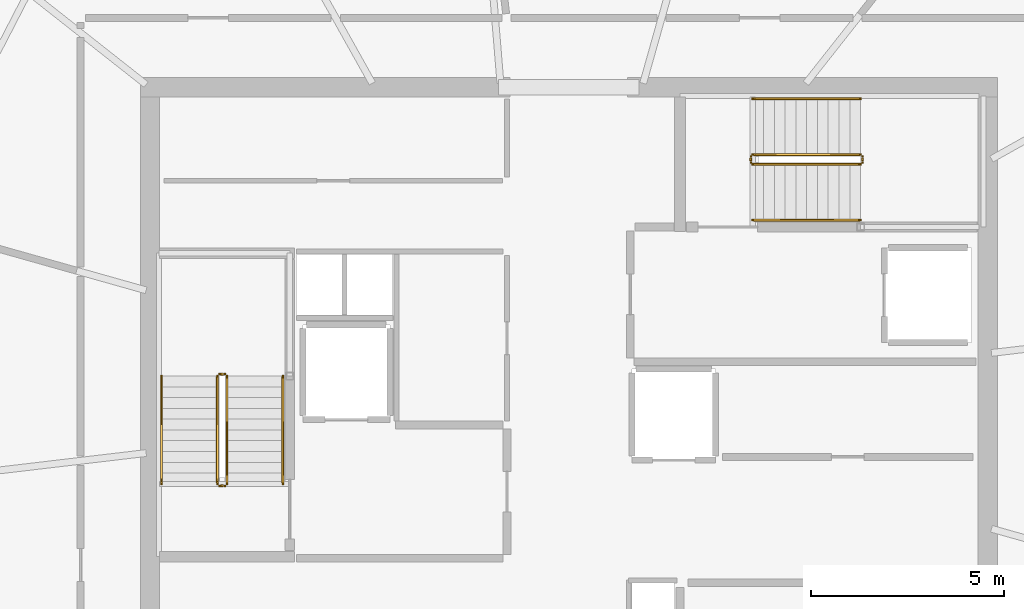
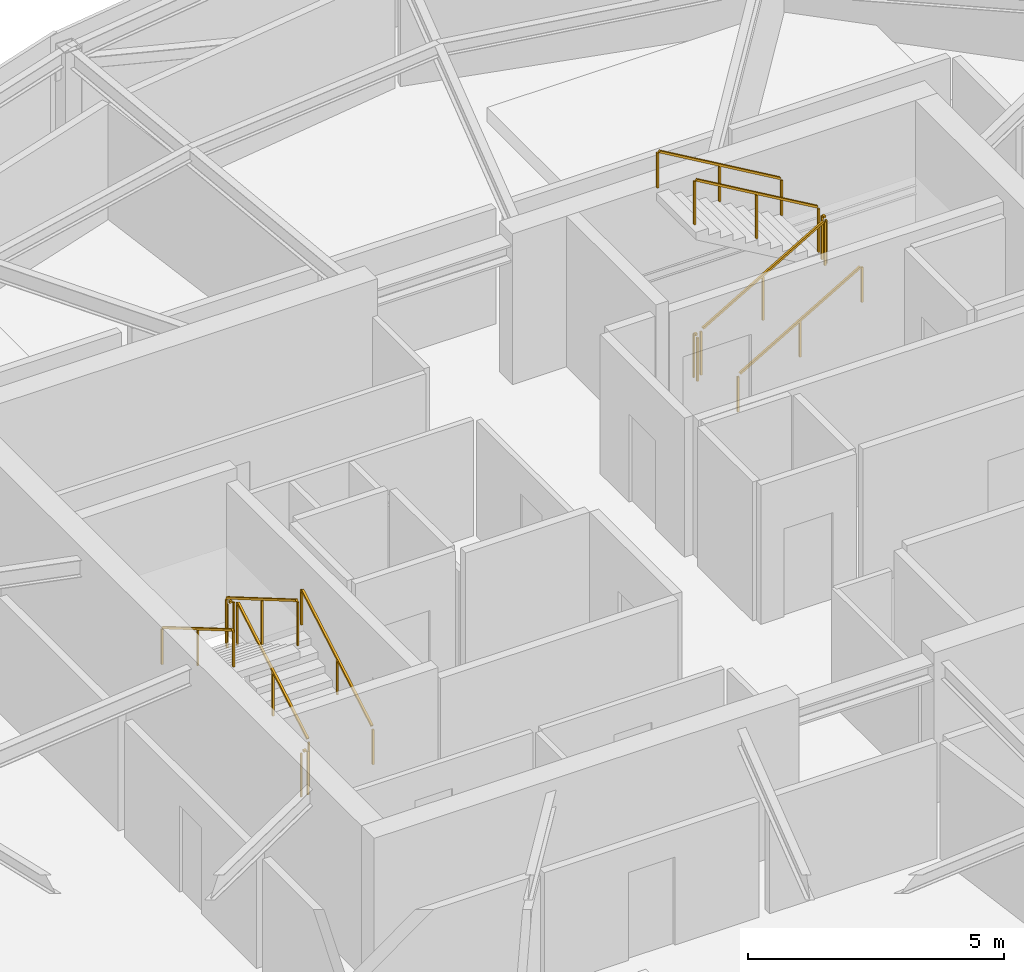
# One storey, part 10 of 10: 12 railings.
"""IFC4 building model written with IfcOpenShell, lengths in metres."""

from ifc_helpers import new_model, si_unit, direction, frame, origin, origin_2d, place, context, subcontext, project, spatial, rectangle, extrude, material, type_object, element, save


model = new_model("IFC4")

# Units and contexts
model_context = context("Model", 3, precision=1e-05, world=origin(), true_north=direction((0.0, 1.0)))
body_context = subcontext(model_context, "Body", "Model", "MODEL_VIEW")
ifc_project = project(units=[si_unit("LENGTHUNIT", "METRE"), si_unit("AREAUNIT", "SQUARE_METRE"), si_unit("VOLUMEUNIT", "CUBIC_METRE"), si_unit("PLANEANGLEUNIT", "RADIAN"), si_unit("MASSUNIT", "GRAM", prefix="KILO")], contexts=[model_context])

# Site, building, storey
site_placement = place(None, origin())
site = spatial("IfcSite", under=ifc_project, at=site_placement, CompositionType="ELEMENT")
building_placement = place(site_placement, origin())
building = spatial("IfcBuilding", under=site, at=building_placement, Name="Kazma Halo Residences", CompositionType="ELEMENT")
storey_placement = place(building_placement, frame((0.0, 0.0, 363.199951171875)))
storey = spatial("IfcBuildingStorey", under=building, at=storey_placement, Name="L91", CompositionType="ELEMENT", Elevation=363.199951171875)

# Railings
ifc_material_1 = material(Name="Painted Steel S355", Category="steel")
railing_type_1 = type_object("IfcRailingType", Name="RLG-STAIR-GRD-1100", PredefinedType="GUARDRAIL", material=ifc_material_1)
railing_1_placement = place(storey_placement, frame((39.550048828125, 39.949951171875, 0.16357421875)))
element("IfcRailing", 1, at=railing_1_placement, inside=storey, type_object=railing_type_1, Name="L91 ST-01 stair guard 1", PredefinedType="GUARDRAIL", context=body_context, shape_type="SweptSolid", body=[
    extrude(rectangle(XDim=0.050048828125, YDim=0.050048828125, at=origin_2d()), frame((0.0, 0.03662109375, 1.096435546875), z_axis=(0.0, 0.863360870873, 0.504586966384), x_axis=(-1.0, 0.0, 0.0)), (0.0, 0.0, 1.0), 3.158203125),
    extrude(rectangle(XDim=0.0400390625, YDim=0.0400390625, at=origin_2d()), origin(), (0.0, 0.0, 1.0), 1.0380859375),
    extrude(rectangle(XDim=0.0400390625, YDim=0.0400390625, at=origin_2d()), frame((0.0, 1.39990234375, 0.818359375)), (0.0, 0.0, 1.0), 1.0380859375),
    extrude(rectangle(XDim=0.0400390625, YDim=0.0400390625, at=origin_2d()), frame((0.0, 2.800048828125, 1.636474609375)), (0.0, 0.0, 1.0), 1.0380859375),
])
railing_2_placement = place(storey_placement, frame((39.5, 42.800048828125, 1.800048828125)))
element("IfcRailing", 2, at=railing_2_placement, inside=storey, type_object=railing_type_1, Name="L91 ST-01 stair guard 2", PredefinedType="GUARDRAIL", context=body_context, shape_type="SweptSolid", body=[
    extrude(rectangle(XDim=0.050048828125, YDim=0.050048828125, at=origin_2d()), frame((-0.04248046875, 0.0, 1.0751953125), z_axis=(-1.0, 0.0, 0.0), x_axis=(0.0, -1.0, 0.0)), (0.0, 0.0, 1.0), 0.06494140625),
    extrude(rectangle(XDim=0.0400390625, YDim=0.0400390625, at=origin_2d()), origin(), (0.0, 0.0, 1.0), 1.0380859375),
    extrude(rectangle(XDim=0.0400390625, YDim=0.0400390625, at=origin_2d()), frame((-0.14990234375, 0.0, 0.0)), (0.0, 0.0, 1.0), 1.0380859375),
])
railing_3_placement = place(storey_placement, frame((39.300048828125, 42.75, 1.963623046875)))
element("IfcRailing", 3, at=railing_3_placement, inside=storey, type_object=railing_type_1, Name="L91 ST-01 stair guard 3", PredefinedType="GUARDRAIL", context=body_context, shape_type="SweptSolid", body=[
    extrude(rectangle(XDim=0.050048828125, YDim=0.050048828125, at=origin_2d()), frame((0.0, -0.03662109375, 1.096435546875), z_axis=(0.0, -0.863360870873, 0.504586966384), x_axis=(1.0, 0.0, 0.0)), (0.0, 0.0, 1.0), 3.158203125),
    extrude(rectangle(XDim=0.0400390625, YDim=0.0400390625, at=origin_2d()), origin(), (0.0, 0.0, 1.0), 1.0380859375),
    extrude(rectangle(XDim=0.0400390625, YDim=0.0400390625, at=origin_2d()), frame((0.0, -1.39990234375, 0.818359375)), (0.0, 0.0, 1.0), 1.0380859375),
    extrude(rectangle(XDim=0.0400390625, YDim=0.0400390625, at=origin_2d()), frame((0.0, -2.800048828125, 1.636474609375)), (0.0, 0.0, 1.0), 1.0380859375),
])
railing_4_placement = place(storey_placement, frame((39.5, 39.89990234375, 0.0)))
element("IfcRailing", 4, at=railing_4_placement, inside=storey, type_object=railing_type_1, Name="L91 ST-01 stair guard 4", PredefinedType="GUARDRAIL", context=body_context, shape_type="SweptSolid", body=[
    extrude(rectangle(XDim=0.050048828125, YDim=0.050048828125, at=origin_2d()), frame((-0.04248046875, 0.0, 1.0751953125), z_axis=(-1.0, 0.0, 0.0), x_axis=(0.0, -1.0, 0.0)), (0.0, 0.0, 1.0), 0.06494140625),
    extrude(rectangle(XDim=0.0400390625, YDim=0.0400390625, at=origin_2d()), origin(), (0.0, 0.0, 1.0), 1.0380859375),
    extrude(rectangle(XDim=0.0400390625, YDim=0.0400390625, at=origin_2d()), frame((-0.14990234375, 0.0, 0.0)), (0.0, 0.0, 1.0), 1.0380859375),
])
railing_5_placement = place(storey_placement, frame((53.199951171875, 48.25, 0.16357421875)))
element("IfcRailing", 5, at=railing_5_placement, inside=storey, type_object=railing_type_1, Name="L91 ST-02 stair guard 1", PredefinedType="GUARDRAIL", context=body_context, shape_type="SweptSolid", body=[
    extrude(rectangle(XDim=0.050048828125, YDim=0.050048828125, at=origin_2d()), frame((0.03662109375, 0.0, 1.096435546875), z_axis=(0.863360870873, 0.0, 0.504586966384), x_axis=(0.0, 1.0, 0.0)), (0.0, 0.0, 1.0), 3.158203125),
    extrude(rectangle(XDim=0.0400390625, YDim=0.0400390625, at=origin_2d()), origin(), (0.0, 0.0, 1.0), 1.0380859375),
    extrude(rectangle(XDim=0.0400390625, YDim=0.0400390625, at=origin_2d()), frame((1.39990234375, 0.0, 0.818359375)), (0.0, 0.0, 1.0), 1.0380859375),
    extrude(rectangle(XDim=0.0400390625, YDim=0.0400390625, at=origin_2d()), frame((2.800048828125, 0.0, 1.636474609375)), (0.0, 0.0, 1.0), 1.0380859375),
])
railing_6_placement = place(storey_placement, frame((56.050048828125, 48.300048828125, 1.800048828125)))
element("IfcRailing", 6, at=railing_6_placement, inside=storey, type_object=railing_type_1, Name="L91 ST-02 stair guard 2", PredefinedType="GUARDRAIL", context=body_context, shape_type="SweptSolid", body=[
    extrude(rectangle(XDim=0.050048828125, YDim=0.050048828125, at=origin_2d()), frame((0.0, 0.04248046875, 1.0751953125), z_axis=(0.0, 1.0, 0.0), x_axis=(-1.0, 0.0, 0.0)), (0.0, 0.0, 1.0), 0.06494140625),
    extrude(rectangle(XDim=0.0400390625, YDim=0.0400390625, at=origin_2d()), origin(), (0.0, 0.0, 1.0), 1.0380859375),
    extrude(rectangle(XDim=0.0400390625, YDim=0.0400390625, at=origin_2d()), frame((0.0, 0.14990234375, 0.0)), (0.0, 0.0, 1.0), 1.0380859375),
])
railing_7_placement = place(storey_placement, frame((56.0, 48.5, 1.963623046875)))
element("IfcRailing", 7, at=railing_7_placement, inside=storey, type_object=railing_type_1, Name="L91 ST-02 stair guard 3", PredefinedType="GUARDRAIL", context=body_context, shape_type="SweptSolid", body=[
    extrude(rectangle(XDim=0.050048828125, YDim=0.050048828125, at=origin_2d()), frame((-0.03662109375, 0.0, 1.096435546875), z_axis=(-0.863360870873, 0.0, 0.504586966384), x_axis=(0.0, -1.0, 0.0)), (0.0, 0.0, 1.0), 3.158203125),
    extrude(rectangle(XDim=0.0400390625, YDim=0.0400390625, at=origin_2d()), origin(), (0.0, 0.0, 1.0), 1.0380859375),
    extrude(rectangle(XDim=0.0400390625, YDim=0.0400390625, at=origin_2d()), frame((-1.39990234375, 0.0, 0.818359375)), (0.0, 0.0, 1.0), 1.0380859375),
    extrude(rectangle(XDim=0.0400390625, YDim=0.0400390625, at=origin_2d()), frame((-2.800048828125, 0.0, 1.636474609375)), (0.0, 0.0, 1.0), 1.0380859375),
])
railing_8_placement = place(storey_placement, frame((53.14990234375, 48.300048828125, 0.0)))
element("IfcRailing", 8, at=railing_8_placement, inside=storey, type_object=railing_type_1, Name="L91 ST-02 stair guard 4", PredefinedType="GUARDRAIL", context=body_context, shape_type="SweptSolid", body=[
    extrude(rectangle(XDim=0.050048828125, YDim=0.050048828125, at=origin_2d()), frame((0.0, 0.04248046875, 1.0751953125), z_axis=(0.0, 1.0, 0.0), x_axis=(-1.0, 0.0, 0.0)), (0.0, 0.0, 1.0), 0.06494140625),
    extrude(rectangle(XDim=0.0400390625, YDim=0.0400390625, at=origin_2d()), origin(), (0.0, 0.0, 1.0), 1.0380859375),
    extrude(rectangle(XDim=0.0400390625, YDim=0.0400390625, at=origin_2d()), frame((0.0, 0.14990234375, 0.0)), (0.0, 0.0, 1.0), 1.0380859375),
])
ifc_material_2 = material(Name="Brushed Stainless Steel", Category="steel")
railing_type_2 = type_object("IfcRailingType", Name="RLG-STAIR-HND-900", PredefinedType="HANDRAIL", material=ifc_material_2)
railing_9_placement = place(storey_placement, frame((41.0, 39.949951171875, 0.16357421875)))
element("IfcRailing", 9, at=railing_9_placement, inside=storey, type_object=railing_type_2, Name="L91 ST-01 stair handrail 1", PredefinedType="HANDRAIL", context=body_context, shape_type="SweptSolid", body=[
    extrude(rectangle(XDim=0.050048828125, YDim=0.050048828125, at=origin_2d()), frame((0.0, 0.03662109375, 0.896240234375), z_axis=(0.0, 0.863360870873, 0.504586966384), x_axis=(-1.0, 0.0, 0.0)), (0.0, 0.0, 1.0), 3.158203125),
    extrude(rectangle(XDim=0.0400390625, YDim=0.0400390625, at=origin_2d()), origin(), (0.0, 0.0, 1.0), 0.837890625),
    extrude(rectangle(XDim=0.0400390625, YDim=0.0400390625, at=origin_2d()), frame((0.0, 1.39990234375, 0.818359375)), (0.0, 0.0, 1.0), 0.837890625),
    extrude(rectangle(XDim=0.0400390625, YDim=0.0400390625, at=origin_2d()), frame((0.0, 2.800048828125, 1.636474609375)), (0.0, 0.0, 1.0), 0.837890625),
])
railing_10_placement = place(storey_placement, frame((37.85009765625, 42.75, 1.963623046875)))
element("IfcRailing", 10, at=railing_10_placement, inside=storey, type_object=railing_type_2, Name="L91 ST-01 stair handrail 2", PredefinedType="HANDRAIL", context=body_context, shape_type="SweptSolid", body=[
    extrude(rectangle(XDim=0.050048828125, YDim=0.050048828125, at=origin_2d()), frame((0.0, -0.03662109375, 0.896240234375), z_axis=(0.0, -0.863360870873, 0.504586966384), x_axis=(1.0, 0.0, 0.0)), (0.0, 0.0, 1.0), 3.158203125),
    extrude(rectangle(XDim=0.0400390625, YDim=0.0400390625, at=origin_2d()), origin(), (0.0, 0.0, 1.0), 0.837890625),
    extrude(rectangle(XDim=0.0400390625, YDim=0.0400390625, at=origin_2d()), frame((0.0, -1.39990234375, 0.818359375)), (0.0, 0.0, 1.0), 0.837890625),
    extrude(rectangle(XDim=0.0400390625, YDim=0.0400390625, at=origin_2d()), frame((0.0, -2.800048828125, 1.636474609375)), (0.0, 0.0, 1.0), 0.837890625),
])
railing_11_placement = place(storey_placement, frame((53.199951171875, 46.800048828125, 0.16357421875)))
element("IfcRailing", 11, at=railing_11_placement, inside=storey, type_object=railing_type_2, Name="L91 ST-02 stair handrail 1", PredefinedType="HANDRAIL", context=body_context, shape_type="SweptSolid", body=[
    extrude(rectangle(XDim=0.050048828125, YDim=0.050048828125, at=origin_2d()), frame((0.03662109375, 0.0, 0.896240234375), z_axis=(0.863360870873, 0.0, 0.504586966384), x_axis=(0.0, 1.0, 0.0)), (0.0, 0.0, 1.0), 3.158203125),
    extrude(rectangle(XDim=0.0400390625, YDim=0.0400390625, at=origin_2d()), origin(), (0.0, 0.0, 1.0), 0.837890625),
    extrude(rectangle(XDim=0.0400390625, YDim=0.0400390625, at=origin_2d()), frame((1.39990234375, 0.0, 0.818359375)), (0.0, 0.0, 1.0), 0.837890625),
    extrude(rectangle(XDim=0.0400390625, YDim=0.0400390625, at=origin_2d()), frame((2.800048828125, 0.0, 1.636474609375)), (0.0, 0.0, 1.0), 0.837890625),
])
railing_12_placement = place(storey_placement, frame((56.0, 49.949951171875, 1.963623046875)))
element("IfcRailing", 12, at=railing_12_placement, inside=storey, type_object=railing_type_2, Name="L91 ST-02 stair handrail 2", PredefinedType="HANDRAIL", context=body_context, shape_type="SweptSolid", body=[
    extrude(rectangle(XDim=0.050048828125, YDim=0.050048828125, at=origin_2d()), frame((-0.03662109375, 0.0, 0.896240234375), z_axis=(-0.863360870873, 0.0, 0.504586966384), x_axis=(0.0, -1.0, 0.0)), (0.0, 0.0, 1.0), 3.158203125),
    extrude(rectangle(XDim=0.0400390625, YDim=0.0400390625, at=origin_2d()), origin(), (0.0, 0.0, 1.0), 0.837890625),
    extrude(rectangle(XDim=0.0400390625, YDim=0.0400390625, at=origin_2d()), frame((-1.39990234375, 0.0, 0.818359375)), (0.0, 0.0, 1.0), 0.837890625),
    extrude(rectangle(XDim=0.0400390625, YDim=0.0400390625, at=origin_2d()), frame((-2.800048828125, 0.0, 1.636474609375)), (0.0, 0.0, 1.0), 0.837890625),
])

save(model, "model.ifc")
